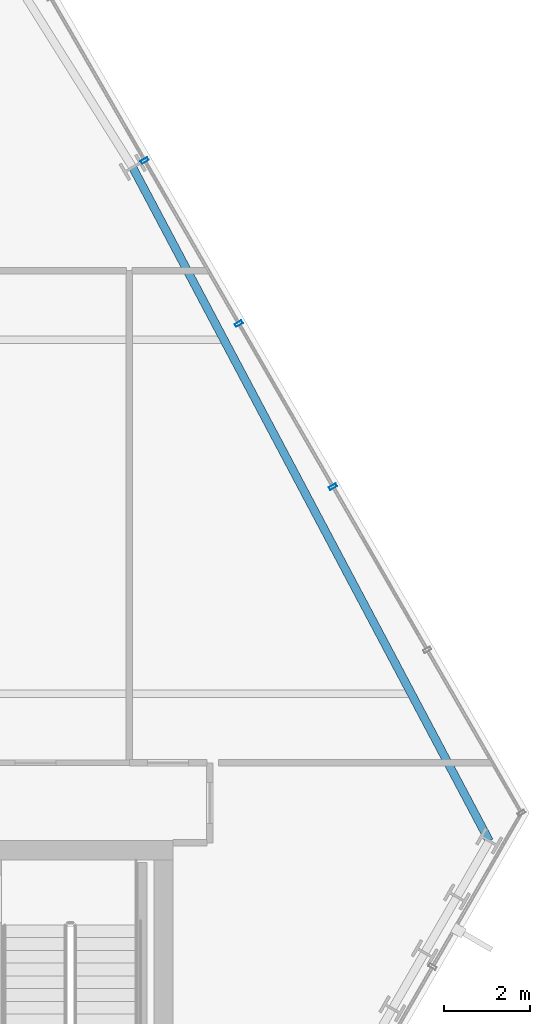
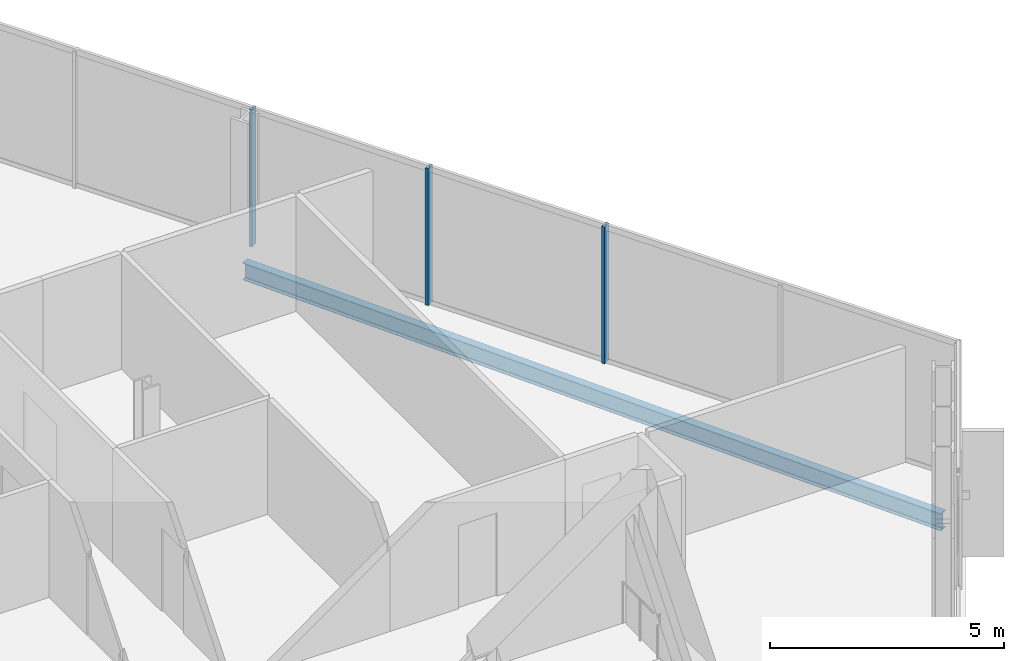
# One storey, part 17 of 32: 3 members, 1 beam, 1 element without a shape of its own.
"""IFC4 building model written with IfcOpenShell, lengths in metres."""

from ifc_helpers import new_model, si_unit, direction, frame, origin, origin_2d, place, context, subcontext, project, spatial, hollow_rectangle, i_section, extrude, material, layer, layer_set, material_profile, profile_set, type_object, element, aggregate, save


model = new_model("IFC4")

# Units and contexts
model_context = context("Model", 3, precision=1e-05, world=origin(), true_north=direction((0.0, 1.0)))
body_context = subcontext(model_context, "Body", "Model", "MODEL_VIEW")
ifc_project = project(units=[si_unit("LENGTHUNIT", "METRE"), si_unit("AREAUNIT", "SQUARE_METRE"), si_unit("VOLUMEUNIT", "CUBIC_METRE"), si_unit("PLANEANGLEUNIT", "RADIAN"), si_unit("MASSUNIT", "GRAM", prefix="KILO")], contexts=[model_context])

# Site, building, storey
site_placement = place(None, origin())
site = spatial("IfcSite", under=ifc_project, at=site_placement, CompositionType="ELEMENT")
building_placement = place(site_placement, origin())
building = spatial("IfcBuilding", under=site, at=building_placement, Name="Ndaravel Arena Tower", CompositionType="ELEMENT")
storey_placement = place(building_placement, frame((0.0, 0.0, 130.800048828125)))
storey = spatial("IfcBuildingStorey", under=building, at=storey_placement, Name="L30", CompositionType="ELEMENT", Elevation=130.800048828125)

# Beam
ifc_material_1 = material(Name="Steel S355", Category="steel")
ifc_material_profile_1 = material_profile(ifc_material_1, i_section(OverallWidth=0.18994140625, OverallDepth=0.449951171875, WebThickness=0.009521484375, FlangeThickness=0.0146484375, FilletRadius=0.02099609375, at=origin_2d()), Name="IPE 450")
ifc_profile_set_1 = profile_set([ifc_material_profile_1], Name="Steel S355")
beam_type = type_object("IfcBeamType", Name="BM-SPAN-IPE450", PredefinedType="SPANDREL", material=ifc_profile_set_1)
beam_placement = place(storey_placement, frame((64.867919921875, 15.193603515625, -0.445068359375), z_axis=(-0.467885177622, 0.883789262529, 0.0), x_axis=(-0.883789262529, -0.467885177622, 0.0)))
element("IfcBeam", 1, at=beam_placement, inside=storey, type_object=beam_type, Name="L30 Perimeter Spandrel Beam SP-09", PredefinedType="SPANDREL", context=body_context, shape_type="SweptSolid", body=[
    extrude(i_section(OverallWidth=0.18994140625, OverallDepth=0.449951171875, WebThickness=0.009521484375, FlangeThickness=0.0146484375, FilletRadius=0.02099609375, at=origin_2d()), origin(), (0.0, 0.0, 1.0), 17.6455078125),
])

# Curtain wall, members
ifc_material_2 = material(Name="Aluminium", Category="aluminium")
ifc_layer = layer(ifc_material_2, 0.179931640625)
ifc_layer_set = layer_set([ifc_layer], Name="Aluminium")
curtain_wall_type = type_object("IfcCurtainWallType", Name="CW-SYS-03", PredefinedType="NOTDEFINED", material=ifc_layer_set)
curtain_wall_placement = place(storey_placement, origin())
curtain_wall = element("IfcCurtainWall", 2, at=curtain_wall_placement, inside=storey, type_object=curtain_wall_type, Name="L30 Faceted Crystal Curtain Wall CW-L30-E03", PredefinedType="NOTDEFINED")
ifc_material_3 = material(Name="Aluminium", Category="aluminium")
ifc_material_profile_2 = material_profile(ifc_material_3, hollow_rectangle(XDim=0.074951171875, YDim=0.179931640625, WallThickness=0.00390625, at=origin_2d()), Name="CW MULLION 75x180x4")
ifc_profile_set_2 = profile_set([ifc_material_profile_2], Name="Aluminium")
member_type = type_object("IfcMemberType", Name="MEM-CW-MUL180", PredefinedType="MULLION", material=ifc_profile_set_2)
member_1_placement = place(storey_placement, frame((61.25, 23.39501953125, 0.0), z_axis=(0.0, 0.0, 1.0), x_axis=(-0.5, 0.866025403784, 0.0)))
member_1 = element("IfcMember", 3, at=member_1_placement, type_object=member_type, Name="CW-L30-E03 Mullion 02", PredefinedType="MULLION", context=body_context, shape_type="SweptSolid", body=[
    extrude(hollow_rectangle(XDim=0.074951171875, YDim=0.179931640625, WallThickness=0.00390625, at=origin_2d()), origin(), (0.0, 0.0, 1.0), 3.579833984375),
])
member_2_placement = place(storey_placement, frame((59.069580078125, 27.171630859375, 0.0), z_axis=(0.0, 0.0, 1.0), x_axis=(-0.5, 0.866025403784, 0.0)))
member_2 = element("IfcMember", 4, at=member_2_placement, type_object=member_type, Name="CW-L30-E03 Mullion 03", PredefinedType="MULLION", context=body_context, shape_type="SweptSolid", body=[
    extrude(hollow_rectangle(XDim=0.074951171875, YDim=0.179931640625, WallThickness=0.00390625, at=origin_2d()), origin(), (0.0, 0.0, 1.0), 3.579833984375),
])
member_3_placement = place(storey_placement, frame((56.888916015625, 30.948486328125, 0.0), z_axis=(0.0, 0.0, 1.0), x_axis=(-0.5, 0.866025403784, 0.0)))
member_3 = element("IfcMember", 5, at=member_3_placement, type_object=member_type, Name="CW-L30-E03 Mullion 04", PredefinedType="MULLION", context=body_context, shape_type="SweptSolid", body=[
    extrude(hollow_rectangle(XDim=0.074951171875, YDim=0.179931640625, WallThickness=0.00390625, at=origin_2d()), origin(), (0.0, 0.0, 1.0), 3.579833984375),
])
aggregate(curtain_wall, [member_1, member_2, member_3])

save(model, "model.ifc")
